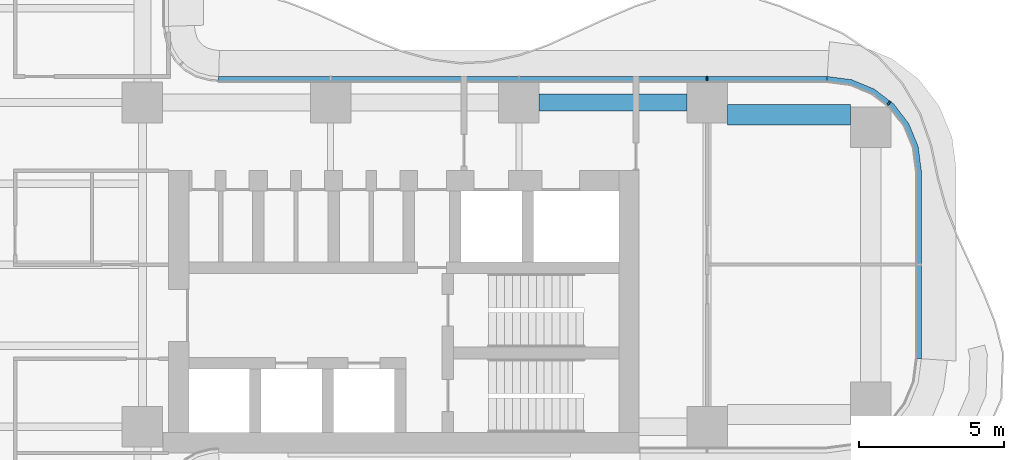
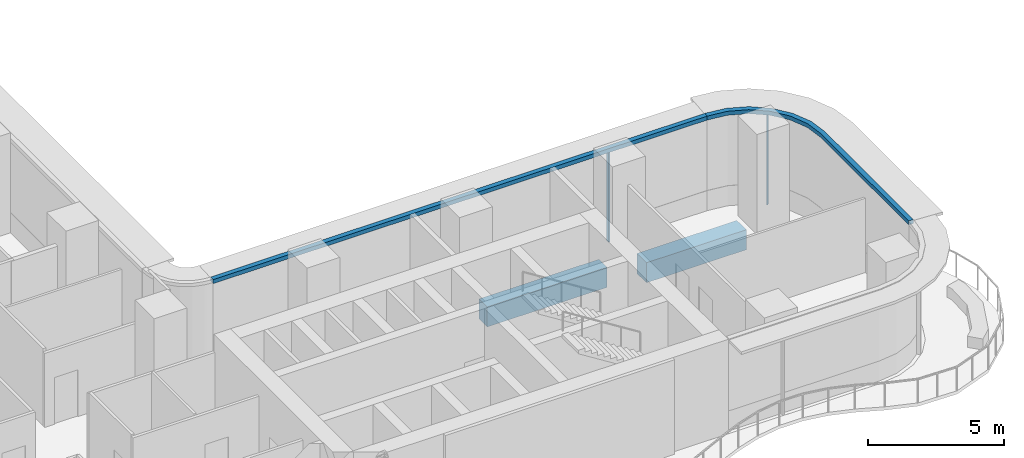
# One storey, part 11 of 22: 4 members, 2 beams, 2 elements without a shape of their own.
"""IFC4 building model written with IfcOpenShell, lengths in metres."""

from ifc_helpers import new_model, si_unit, direction, frame, origin, origin_2d, place, context, subcontext, project, spatial, polyline, rectangle, outline, extrude, source, transform, mapped, material, layer, layer_set, material_profile, profile_set, type_object, element, aggregate, save


model = new_model("IFC4")

# Units and contexts
model_context = context("Model", 3, precision=1e-05, world=origin(), true_north=direction((0.0, 1.0)))
body_context = subcontext(model_context, "Body", "Model", "MODEL_VIEW")
ifc_project = project(units=[si_unit("LENGTHUNIT", "METRE"), si_unit("AREAUNIT", "SQUARE_METRE"), si_unit("VOLUMEUNIT", "CUBIC_METRE"), si_unit("PLANEANGLEUNIT", "RADIAN"), si_unit("MASSUNIT", "GRAM", prefix="KILO")], contexts=[model_context])

# Site, building, storey
site_placement = place(None, origin())
site = spatial("IfcSite", under=ifc_project, at=site_placement, CompositionType="ELEMENT")
building_placement = place(site_placement, origin())
building = spatial("IfcBuilding", under=site, at=building_placement, Name="Trellis Farm Tower", CompositionType="ELEMENT")
storey_placement = place(building_placement, frame((0.0, 0.0, 52.0)))
storey = spatial("IfcBuildingStorey", under=building, at=storey_placement, Name="L10", CompositionType="ELEMENT", Elevation=52.0)

# Beams
ifc_material_1 = material(Name="Concrete C60/75", Category="concrete")
ifc_material_profile_1 = material_profile(ifc_material_1, rectangle(XDim=0.60009765625, YDim=0.89990234375, at=origin_2d()), Name="RC spandrel beam 600x900 C60/75")
ifc_profile_set_1 = profile_set([ifc_material_profile_1], Name="Concrete C60/75")
beam_type_1 = type_object("IfcBeamType", Name="RC spandrel beam 600x900 C60/75", PredefinedType="SPANDREL", material=ifc_profile_set_1)
shared_shape_1 = source(origin(), body_context, "Body", "SweptSolid", [
    extrude(rectangle(XDim=0.60009765625, YDim=0.89990234375, at=origin_2d()), origin(), (0.0, 0.0, 1.0), 5.099853515625),
])
beam_1_placement = place(storey_placement, frame((19.300048828125, 5.60009765625, -0.699951171875), z_axis=(1.0, 0.0, 0.0), x_axis=(0.0, 1.0, 0.0)))
element("IfcBeam", 1, at=beam_1_placement, inside=storey, type_object=beam_type_1, Name="Girder", PredefinedType="SPANDREL", context=body_context, shape_type="MappedRepresentation", body=[
    mapped(shared_shape_1, transform((0.0, 0.0, 0.0))),
])
ifc_material_profile_2 = material_profile(ifc_material_1, rectangle(XDim=0.699951171875, YDim=0.89990234375, at=origin_2d()), Name="RC spandrel beam 700x900 C60/75")
ifc_profile_set_2 = profile_set([ifc_material_profile_2], Name="Concrete C60/75")
beam_type_2 = type_object("IfcBeamType", Name="RC spandrel beam 700x900 C60/75", PredefinedType="SPANDREL", material=ifc_profile_set_2)
shared_shape_2 = source(origin(), body_context, "Body", "SweptSolid", [
    extrude(rectangle(XDim=0.699951171875, YDim=0.89990234375, at=origin_2d()), origin(), (0.0, 0.0, 1.0), 4.25),
])
beam_2_placement = place(storey_placement, frame((25.800048828125, 5.175048828125, -0.699951171875), z_axis=(1.0, 0.0, 0.0), x_axis=(0.0, 1.0, 0.0)))
element("IfcBeam", 2, at=beam_2_placement, inside=storey, type_object=beam_type_2, Name="Girder", PredefinedType="SPANDREL", context=body_context, shape_type="MappedRepresentation", body=[
    mapped(shared_shape_2, transform((0.0, 0.0, 0.0))),
])

# Curtain wall, member
ifc_material_2 = material(Name="Aluminium and glass curtain wall", Category="aluminium")
ifc_layer_1 = layer(ifc_material_2, 0.18994140625)
ifc_layer_set_1 = layer_set([ifc_layer_1], Name="RIBBON CURTAIN WALL CW1")
curtain_wall_type = type_object("IfcCurtainWallType", Name="RIBBON CURTAIN WALL CW1", PredefinedType="NOTDEFINED", material=ifc_layer_set_1)
placement_1 = place(storey_placement, origin())
curtain_wall_1 = element("IfcCurtainWall", 3, at=placement_1, inside=storey, type_object=curtain_wall_type, Name="CW1 007", PredefinedType="NOTDEFINED")
ifc_material_3 = material(Name="Aluminium extrusion 6063-T6", Category="aluminium")
ifc_material_profile_3 = material_profile(ifc_material_3, rectangle(XDim=0.06005859375, YDim=0.14990234375, at=origin_2d()), Name="MULLION 60x150")
ifc_profile_set_3 = profile_set([ifc_material_profile_3], Name="Aluminium extrusion 6063-T6")
member_type_1 = type_object("IfcMemberType", Name="CW1 MULLION 60x150", PredefinedType="MULLION", material=ifc_profile_set_3)
shared_shape_3 = source(origin(), body_context, "Body", "SweptSolid", [
    extrude(rectangle(XDim=0.06005859375, YDim=0.14990234375, at=origin_2d()), origin(), (0.0, 0.0, 1.0), 4.070068359375),
])
member_1_placement = place(storey_placement, frame((31.385498046875, 5.578369140625, 0.0), z_axis=(0.0, 0.0, 1.0), x_axis=(-0.793353340291, 0.608761429009, 0.0)))
member_1 = element("IfcMember", 4, at=member_1_placement, type_object=member_type_1, Name="MU1 007-02", PredefinedType="MULLION", context=body_context, shape_type="MappedRepresentation", body=[
    mapped(shared_shape_3, transform((0.0, 0.0, 0.0))),
])

# Curtain wall, members
curtain_wall_2 = element("IfcCurtainWall", 5, at=placement_1, inside=storey, type_object=curtain_wall_type, Name="CW1 008", PredefinedType="NOTDEFINED")
member_2_placement = place(storey_placement, frame((25.10009765625, 6.425048828125, 0.0), z_axis=(0.0, 0.0, 1.0), x_axis=(-1.0, 0.0, 0.0)))
member_2 = element("IfcMember", 6, at=member_2_placement, type_object=member_type_1, Name="MU1 008-01", PredefinedType="MULLION", context=body_context, shape_type="MappedRepresentation", body=[
    mapped(shared_shape_3, transform((0.0, 0.0, 0.0))),
])
ifc_layer_2 = layer(ifc_material_3, 0.199951171875)
ifc_layer_set_2 = layer_set([ifc_layer_2], Name="Aluminium extrusion 6063-T6")
member_type_2 = type_object("IfcMemberType", Name="CW1 TRANSOM 200x180", PredefinedType="USERDEFINED", material=ifc_layer_set_2)
shared_shape_4 = source(origin(), body_context, "Body", "SweptSolid", [
    extrude(outline(polyline([(29.25, 6.5), (8.2314453125, 6.5), (8.224853515625, 6.300048828125), (29.23681640625, 6.300048828125), (29.25, 6.5)])), origin(), (0.0, 0.0, 1.0), 0.179931640625),
])
placement_2 = place(storey_placement, frame((0.0, 0.0, 4.070068359375)))
member_3 = element("IfcMember", 7, at=placement_2, type_object=member_type_2, Name="TR1 008", ObjectType="TRANSOM", PredefinedType="USERDEFINED", context=body_context, shape_type="MappedRepresentation", body=[
    mapped(shared_shape_4, transform((0.0, 0.0, 0.0))),
])
aggregate(curtain_wall_2, [member_2, member_3])

# Member
shared_shape_5 = source(origin(), body_context, "Body", "SweptSolid", [
    extrude(outline(polyline([(32.5, -3.25), (32.5, 3.25), (32.38916015625, 4.091064453125), (32.064697265625, 4.875), (31.548095703125, 5.548095703125), (30.875, 6.064697265625), (30.091064453125, 6.38916015625), (29.25, 6.5), (29.23681640625, 6.300048828125), (30.0390625, 6.1943359375), (30.774169921875, 5.889892578125), (31.405517578125, 5.405517578125), (31.889892578125, 4.774169921875), (32.1943359375, 4.0390625), (32.300048828125, 3.23681640625), (32.300048828125, -3.23681640625), (32.5, -3.25)])), origin(), (0.0, 0.0, 1.0), 0.179931640625),
])
member_4 = element("IfcMember", 8, at=placement_2, type_object=member_type_2, Name="TR1 007", ObjectType="TRANSOM", PredefinedType="USERDEFINED", context=body_context, shape_type="MappedRepresentation", body=[
    mapped(shared_shape_5, transform((0.0, 0.0, 0.0))),
])

aggregate(curtain_wall_1, [member_1, member_4])

save(model, "model.ifc")
